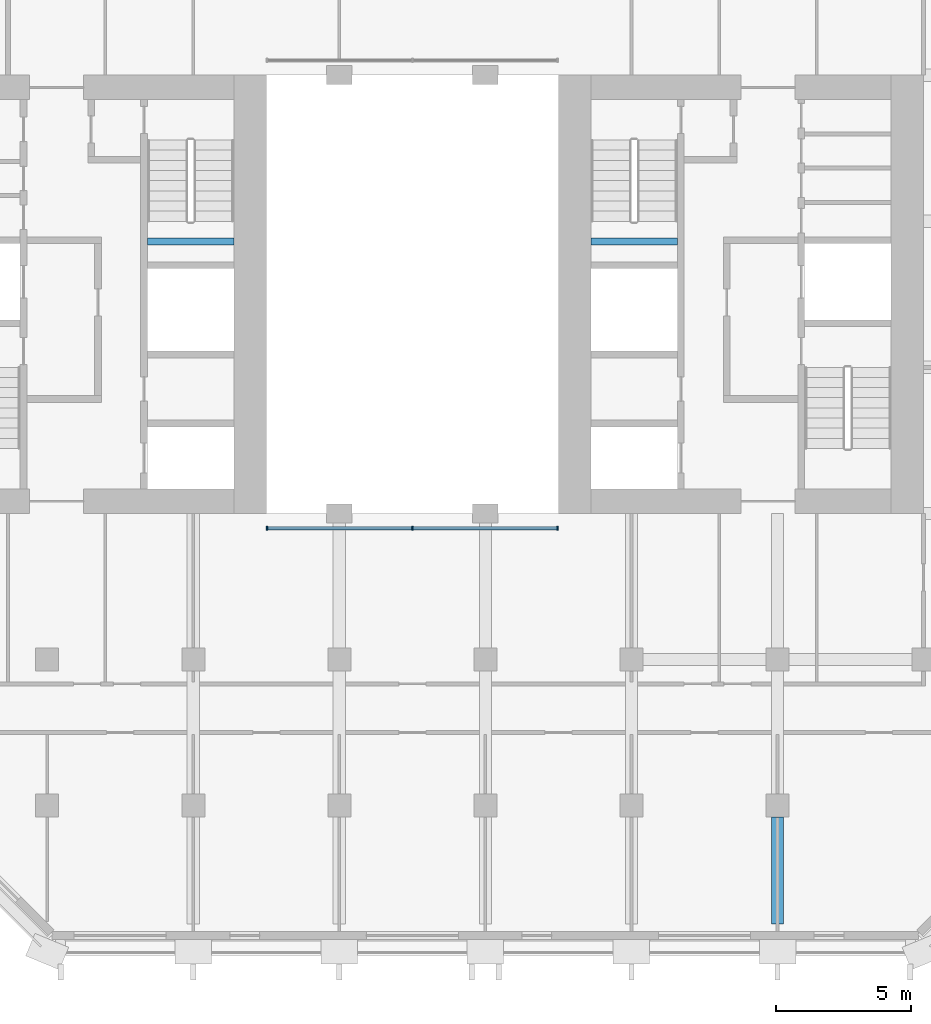
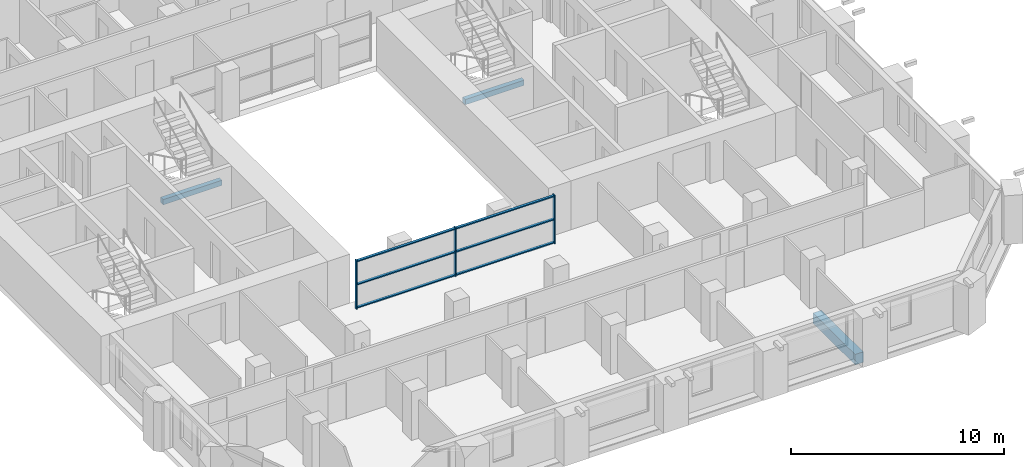
# One storey, part 2 of 12: 9 members, 3 beams, 1 element without a shape of its own.
"""IFC4 building model written with IfcOpenShell, lengths in metres."""

from ifc_helpers import new_model, si_unit, direction, frame, origin, origin_2d, place, context, subcontext, project, spatial, rectangle, extrude, material, material_profile, profile_set, type_object, element, aggregate, save


model = new_model("IFC4")

# Units and contexts
model_context = context("Model", 3, precision=1e-05, world=origin(), true_north=direction((0.0, 1.0)))
body_context = subcontext(model_context, "Body", "Model", "MODEL_VIEW")
ifc_project = project(units=[si_unit("LENGTHUNIT", "METRE"), si_unit("AREAUNIT", "SQUARE_METRE"), si_unit("VOLUMEUNIT", "CUBIC_METRE"), si_unit("PLANEANGLEUNIT", "RADIAN"), si_unit("MASSUNIT", "GRAM", prefix="KILO")], contexts=[model_context])

# Site, building, storey
site_placement = place(None, origin())
site = spatial("IfcSite", under=ifc_project, at=site_placement, CompositionType="ELEMENT")
building_placement = place(site_placement, origin())
building = spatial("IfcBuilding", under=site, at=building_placement, Name="Tabaq Tower and Sports Hall", CompositionType="ELEMENT")
storey_placement = place(building_placement, frame((0.0, 0.0, 172.60009765625)))
storey = spatial("IfcBuildingStorey", under=building, at=storey_placement, Name="L41", CompositionType="ELEMENT", Elevation=172.60009765625)

# Curtain wall, members
ifc_material_1 = material(Name="Aluminium alloy 6063-T6 framed glazing", Category="aluminium")
curtain_wall_type = type_object("IfcCurtainWallType", Name="CW1 curtain wall", PredefinedType="USERDEFINED", material=ifc_material_1)
curtain_wall_placement = place(storey_placement, origin())
curtain_wall = element("IfcCurtainWall", 1, at=curtain_wall_placement, inside=storey, type_object=curtain_wall_type, Name="Atrium glazing L41 S", ObjectType="ATRIUM ENCLOSURE", PredefinedType="USERDEFINED")
ifc_material_2 = material(Name="Aluminium alloy 6063-T6", Category="aluminium")
ifc_material_profile_1 = material_profile(ifc_material_2, rectangle(XDim=0.159912109375, YDim=0.06005859375, at=origin_2d()), Name="MULLION 160x60")
ifc_profile_set_1 = profile_set([ifc_material_profile_1], Name="Aluminium alloy 6063-T6")
member_type_1 = type_object("IfcMemberType", Name="CW1 mullion 160x60", PredefinedType="MULLION", material=ifc_profile_set_1)
member_1_placement = place(storey_placement, frame((18.929931640625, 15.64990234375, 0.0), z_axis=(0.0, 0.0, 1.0), x_axis=(0.0, 1.0, 0.0)))
member_1 = element("IfcMember", 2, at=member_1_placement, type_object=member_type_1, Name="CW1 mullion 1", PredefinedType="MULLION", context=body_context, shape_type="SweptSolid", body=[
    extrude(rectangle(XDim=0.159912109375, YDim=0.06005859375, at=origin_2d()), origin(), (0.0, 0.0, 1.0), 2.7998046875),
])
member_2_placement = place(storey_placement, frame((24.300048828125, 15.64990234375, 0.0), z_axis=(0.0, 0.0, 1.0), x_axis=(0.0, 1.0, 0.0)))
member_2 = element("IfcMember", 3, at=member_2_placement, type_object=member_type_1, Name="CW1 mullion 2", PredefinedType="MULLION", context=body_context, shape_type="SweptSolid", body=[
    extrude(rectangle(XDim=0.159912109375, YDim=0.06005859375, at=origin_2d()), origin(), (0.0, 0.0, 1.0), 2.7998046875),
])
member_3_placement = place(storey_placement, frame((29.669921875, 15.64990234375, 0.0), z_axis=(0.0, 0.0, 1.0), x_axis=(0.0, 1.0, 0.0)))
member_3 = element("IfcMember", 4, at=member_3_placement, type_object=member_type_1, Name="CW1 mullion 3", PredefinedType="MULLION", context=body_context, shape_type="SweptSolid", body=[
    extrude(rectangle(XDim=0.159912109375, YDim=0.06005859375, at=origin_2d()), origin(), (0.0, 0.0, 1.0), 2.7998046875),
])
ifc_material_3 = material(Name="Aluminium alloy 6063-T6", Category="aluminium")
ifc_material_profile_2 = material_profile(ifc_material_3, rectangle(XDim=0.139892578125, YDim=0.06005859375, at=origin_2d()), Name="TRANSOM 140x60")
ifc_profile_set_2 = profile_set([ifc_material_profile_2], Name="Aluminium alloy 6063-T6")
member_type_2 = type_object("IfcMemberType", Name="CW1 transom 140x60", PredefinedType="USERDEFINED", material=ifc_profile_set_2)
member_4_placement = place(storey_placement, frame((18.9599609375, 15.64990234375, 0.06982421875), z_axis=(1.0, 0.0, 0.0), x_axis=(0.0, 1.0, 0.0)))
member_4 = element("IfcMember", 5, at=member_4_placement, type_object=member_type_2, Name="CW1 transom 1.1", ObjectType="TRANSOM", PredefinedType="USERDEFINED", context=body_context, shape_type="SweptSolid", body=[
    extrude(rectangle(XDim=0.139892578125, YDim=0.06005859375, at=origin_2d()), origin(), (0.0, 0.0, 1.0), 5.31005859375),
])
member_5_placement = place(storey_placement, frame((18.9599609375, 15.64990234375, 1.39990234375), z_axis=(1.0, 0.0, 0.0), x_axis=(0.0, 1.0, 0.0)))
member_5 = element("IfcMember", 6, at=member_5_placement, type_object=member_type_2, Name="CW1 transom 1.2", ObjectType="TRANSOM", PredefinedType="USERDEFINED", context=body_context, shape_type="SweptSolid", body=[
    extrude(rectangle(XDim=0.139892578125, YDim=0.06005859375, at=origin_2d()), origin(), (0.0, 0.0, 1.0), 5.31005859375),
])
member_6_placement = place(storey_placement, frame((18.9599609375, 15.64990234375, 2.72998046875), z_axis=(1.0, 0.0, 0.0), x_axis=(0.0, 1.0, 0.0)))
member_6 = element("IfcMember", 7, at=member_6_placement, type_object=member_type_2, Name="CW1 transom 1.3", ObjectType="TRANSOM", PredefinedType="USERDEFINED", context=body_context, shape_type="SweptSolid", body=[
    extrude(rectangle(XDim=0.139892578125, YDim=0.06005859375, at=origin_2d()), origin(), (0.0, 0.0, 1.0), 5.31005859375),
])
member_7_placement = place(storey_placement, frame((24.330078125, 15.64990234375, 0.06982421875), z_axis=(1.0, 0.0, 0.0), x_axis=(0.0, 1.0, 0.0)))
member_7 = element("IfcMember", 8, at=member_7_placement, type_object=member_type_2, Name="CW1 transom 2.1", ObjectType="TRANSOM", PredefinedType="USERDEFINED", context=body_context, shape_type="SweptSolid", body=[
    extrude(rectangle(XDim=0.139892578125, YDim=0.06005859375, at=origin_2d()), origin(), (0.0, 0.0, 1.0), 5.309814453125),
])
member_8_placement = place(storey_placement, frame((24.330078125, 15.64990234375, 1.39990234375), z_axis=(1.0, 0.0, 0.0), x_axis=(0.0, 1.0, 0.0)))
member_8 = element("IfcMember", 9, at=member_8_placement, type_object=member_type_2, Name="CW1 transom 2.2", ObjectType="TRANSOM", PredefinedType="USERDEFINED", context=body_context, shape_type="SweptSolid", body=[
    extrude(rectangle(XDim=0.139892578125, YDim=0.06005859375, at=origin_2d()), origin(), (0.0, 0.0, 1.0), 5.309814453125),
])
member_9_placement = place(storey_placement, frame((24.330078125, 15.64990234375, 2.72998046875), z_axis=(1.0, 0.0, 0.0), x_axis=(0.0, 1.0, 0.0)))
member_9 = element("IfcMember", 10, at=member_9_placement, type_object=member_type_2, Name="CW1 transom 2.3", ObjectType="TRANSOM", PredefinedType="USERDEFINED", context=body_context, shape_type="SweptSolid", body=[
    extrude(rectangle(XDim=0.139892578125, YDim=0.06005859375, at=origin_2d()), origin(), (0.0, 0.0, 1.0), 5.309814453125),
])
aggregate(curtain_wall, [member_1, member_2, member_3, member_4, member_5, member_6, member_7, member_8, member_9])

# Beams
ifc_material_4 = material(Name="Concrete C40/50", Category="concrete")
ifc_material_profile_3 = material_profile(ifc_material_4, rectangle(XDim=0.449951171875, YDim=0.60009765625, at=origin_2d()), Name="CB 450x600")
ifc_profile_set_3 = profile_set([ifc_material_profile_3], Name="Concrete C40/50")
beam_type_1 = type_object("IfcBeamType", Name="PT CANTILEVER BEAM CB 450x600 C40/50", PredefinedType="BEAM", material=ifc_profile_set_3)
beam_1_placement = place(storey_placement, frame((37.800048828125, 1.02490234375, -0.60009765625), z_axis=(0.0, 1.0, 0.0), x_axis=(-1.0, 0.0, 0.0)))
element("IfcBeam", 11, at=beam_1_placement, inside=storey, type_object=beam_type_1, Name="Cantilever Beam L41 S7 span 1", PredefinedType="BEAM", context=body_context, shape_type="SweptSolid", body=[
    extrude(rectangle(XDim=0.449951171875, YDim=0.60009765625, at=origin_2d()), origin(), (0.0, 0.0, 1.0), 3.9501953125),
])
ifc_material_5 = material(Name="Concrete C40/50", Category="concrete")
ifc_material_profile_4 = material_profile(ifc_material_5, rectangle(XDim=0.25, YDim=0.300048828125, at=origin_2d()), Name="RC 250x300")
ifc_profile_set_4 = profile_set([ifc_material_profile_4], Name="Concrete C40/50")
beam_type_2 = type_object("IfcBeamType", Name="Stair landing beam 250x300", PredefinedType="BEAM", material=ifc_profile_set_4)
beam_2_placement = place(storey_placement, frame((14.5, 26.25, 1.2998046875), z_axis=(1.0, 0.0, 0.0), x_axis=(0.0, 1.0, 0.0)))
element("IfcBeam", 12, at=beam_2_placement, inside=storey, type_object=beam_type_2, Name="L41 ST2 landing beam 1", PredefinedType="BEAM", context=body_context, shape_type="SweptSolid", body=[
    extrude(rectangle(XDim=0.25, YDim=0.300048828125, at=origin_2d()), origin(), (0.0, 0.0, 1.0), 3.199951171875),
])
beam_3_placement = place(storey_placement, frame((30.89990234375, 26.25, 1.2998046875), z_axis=(1.0, 0.0, 0.0), x_axis=(0.0, 1.0, 0.0)))
element("IfcBeam", 13, at=beam_3_placement, inside=storey, type_object=beam_type_2, Name="L41 ST4 landing beam 1", PredefinedType="BEAM", context=body_context, shape_type="SweptSolid", body=[
    extrude(rectangle(XDim=0.25, YDim=0.300048828125, at=origin_2d()), origin(), (0.0, 0.0, 1.0), 3.2001953125),
])

save(model, "model.ifc")
